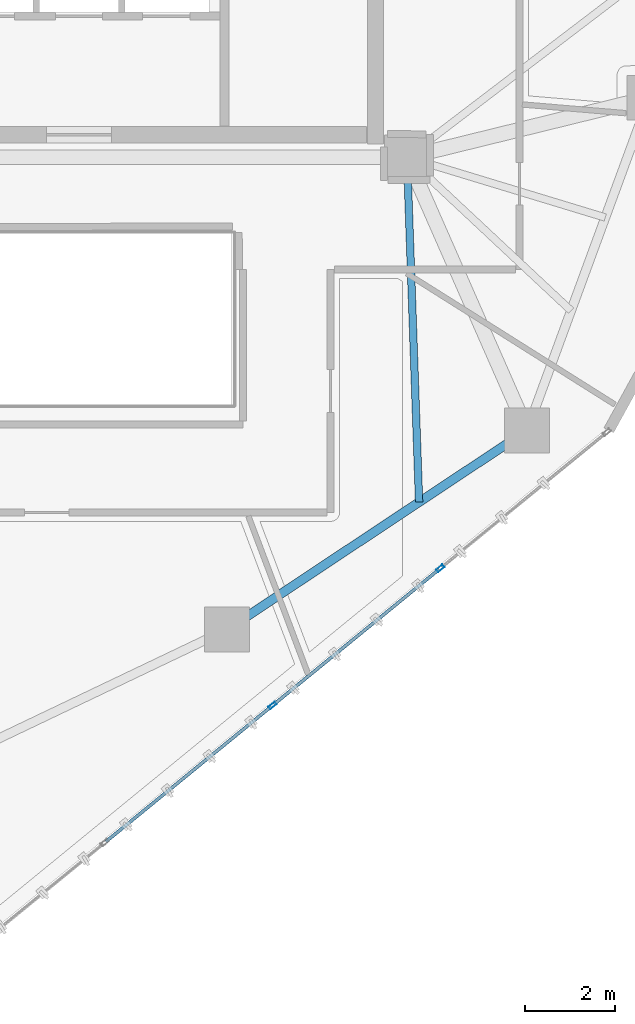
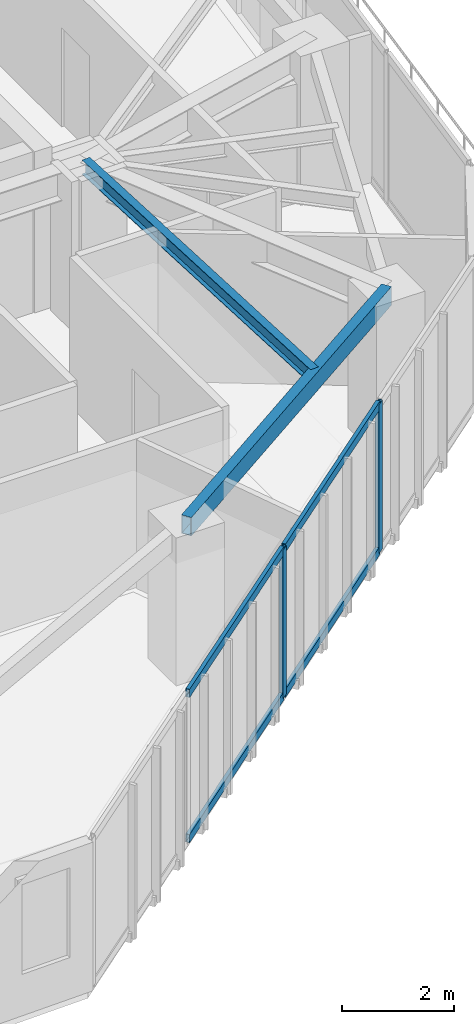
# One storey, part 6 of 22: 6 members, 2 beams, 1 element without a shape of its own.
"""IFC4 building model written with IfcOpenShell, lengths in metres."""

import ifcopenshell
import ifcopenshell.guid

model = None  # the IFC model being written
_history = None  # IfcOwnerHistory: only IFC2X3 demands one
_inside = {}  # id of a spatial element -> (the spatial element, [elements in it])
_under = {}  # id of a project, library or spatial element -> (it, [spatial elements below it])
_declared = {}  # id of a project -> (the project, [libraries it declares])
_typed = {}  # id of a type object -> (the type object, [elements of that type])
_made_of = {}  # id of a material, layer set ... -> (it, [elements and type objects made of it])


def new_model(schema):
    """Start an empty IFC model of exactly this schema.

    Asked for "IFC4X3", IfcOpenShell would pick the latest addendum, in which some entities
    have other attributes; the version numbers below select the first issue.
    IFC2X3 requires an IfcOwnerHistory on every rooted entity: one is made here for all.
    """
    global model, _history
    if schema == "IFC4X3":
        model = ifcopenshell.file(schema_version=(4, 3, 0, 0))
    else:
        model = ifcopenshell.file(schema=schema)
    _inside.clear()
    _under.clear()
    _declared.clear()
    _typed.clear()
    _made_of.clear()
    _history = None
    if model.schema == "IFC2X3":
        org = make("IfcOrganization", Name="unknown")
        user = make(
            "IfcPersonAndOrganization",
            ThePerson=make("IfcPerson", FamilyName="unknown"),
            TheOrganization=org,
        )
        app = make(
            "IfcApplication",
            ApplicationDeveloper=org,
            Version="unknown",
            ApplicationFullName="unknown",
            ApplicationIdentifier="unknown",
        )
        _history = make(
            "IfcOwnerHistory",
            OwningUser=user,
            OwningApplication=app,
            ChangeAction="ADDED",
            CreationDate=0,
        )
    return model


def make(cls, **values):
    """One entity of the class cls with the attributes given. An attribute that is None is left unset."""
    return model.create_entity(
        cls, **{name: value for name, value in values.items() if value is not None}
    )


def rooted(cls, **values):
    """An entity with a GlobalId (a new one), such as an element, a storey or a relation."""
    return make(cls, GlobalId=ifcopenshell.guid.new(), OwnerHistory=_history, **values)


def si_unit(unit_type, name, prefix=None):
    """IfcSIUnit, for example si_unit("LENGTHUNIT", "METRE", prefix="MILLI")."""
    return make("IfcSIUnit", UnitType=unit_type, Prefix=prefix, Name=name)


def assignment(units):
    """IfcUnitAssignment: the units of a project."""
    return None if units is None else make("IfcUnitAssignment", Units=units)


def point(xyz):
    """IfcCartesianPoint."""
    return None if xyz is None else make("IfcCartesianPoint", Coordinates=xyz)


def direction(xyz):
    """IfcDirection."""
    return None if xyz is None else make("IfcDirection", DirectionRatios=xyz)


def frame(location, z_axis=None, x_axis=None):
    """IfcAxis2Placement3D, a coordinate frame: its origin and axes. An axis left out is left unset."""
    return make(
        "IfcAxis2Placement3D",
        Location=point(location),
        Axis=direction(z_axis),
        RefDirection=direction(x_axis),
    )


def frame_2d(location, x_axis=None):
    """IfcAxis2Placement2D, a coordinate frame in the plane: its origin and x axis."""
    return make(
        "IfcAxis2Placement2D", Location=point(location), RefDirection=direction(x_axis)
    )


def origin():
    """The frame at (0, 0, 0) with its axes left unset."""
    return frame((0.0, 0.0, 0.0))


def origin_2d():
    """The frame at (0, 0) in the plane with its x axis left unset."""
    return frame_2d((0.0, 0.0))


def place(relative_to, where):
    """IfcLocalPlacement: puts the frame where relative to a parent placement (None: the world)."""
    return make(
        "IfcLocalPlacement", PlacementRelTo=relative_to, RelativePlacement=where
    )


def context(
    kind, dimensions, precision=None, world=None, true_north=None, identifier=None
):
    """IfcGeometricRepresentationContext, for example the 3D "Model" context."""
    return make(
        "IfcGeometricRepresentationContext",
        ContextIdentifier=identifier,
        ContextType=kind,
        CoordinateSpaceDimension=dimensions,
        Precision=precision,
        WorldCoordinateSystem=world,
        TrueNorth=true_north,
    )


def subcontext(parent, identifier, kind, view, scale=None):
    """IfcGeometricRepresentationSubContext, for example "Body" below "Model"."""
    return make(
        "IfcGeometricRepresentationSubContext",
        ContextIdentifier=identifier,
        ContextType=kind,
        ParentContext=parent,
        TargetScale=scale,
        TargetView=view,
    )


def project(units=None, contexts=None):
    """IfcProject with its units and contexts."""
    return rooted(
        "IfcProject",
        Name="project",
        RepresentationContexts=contexts,
        UnitsInContext=assignment(units),
    )


def spatial(cls, under=None, at=None, **own):
    """A site, building, storey or space (cls), placed at a placement, below another one or the project."""
    s = rooted(cls, ObjectPlacement=at, **own)
    if under is not None:
        _under.setdefault(under.id(), (under, []))[1].append(s)
    return s


def profile(cls, at=None, kind="AREA", **sizes):
    """A parametric profile (cls). Its sizes go by their IFC names, for example OverallWidth=200.0."""
    return make(cls, ProfileType=kind, Position=at, **sizes)


def hollow_rectangle(**sizes):
    """IfcRectangleHollowProfileDef."""
    return profile("IfcRectangleHollowProfileDef", **sizes)


def i_section(**sizes):
    """IfcIShapeProfileDef."""
    return profile("IfcIShapeProfileDef", **sizes)


def extrude(swept, where, along, depth):
    """IfcExtrudedAreaSolid: the profile swept, set in the frame where, extruded along a direction by depth."""
    return make(
        "IfcExtrudedAreaSolid",
        SweptArea=swept,
        Position=where,
        ExtrudedDirection=direction(along),
        Depth=depth,
    )


def shape(context_of_items, identifier, shape_type, items):
    """IfcShapeRepresentation: the items that make up one representation, for example the "Body"."""
    return make(
        "IfcShapeRepresentation",
        ContextOfItems=context_of_items,
        RepresentationIdentifier=identifier,
        RepresentationType=shape_type,
        Items=items,
    )


def source(mapping_origin, context_of_items, identifier, shape_type, items):
    """IfcRepresentationMap: a shape defined once, which mapped items show again and again."""
    return make(
        "IfcRepresentationMap",
        MappingOrigin=mapping_origin,
        MappedRepresentation=shape(context_of_items, identifier, shape_type, items),
    )


def transform(
    local_origin,
    x_axis=None,
    y_axis=None,
    z_axis=None,
    scale=None,
    scale2=None,
    scale3=None,
    uniform=True,
):
    """IfcCartesianTransformationOperator3D, or its non-uniform kind. x_axis, y_axis, z_axis: its Axis1, 2, 3."""
    if uniform:
        return make(
            "IfcCartesianTransformationOperator3D",
            Axis1=direction(x_axis),
            Axis2=direction(y_axis),
            LocalOrigin=point(local_origin),
            Scale=scale,
            Axis3=direction(z_axis),
        )
    return make(
        "IfcCartesianTransformationOperator3DnonUniform",
        Axis1=direction(x_axis),
        Axis2=direction(y_axis),
        LocalOrigin=point(local_origin),
        Scale=scale,
        Axis3=direction(z_axis),
        Scale2=scale2,
        Scale3=scale3,
    )


def mapped(mapping_source, mapping_target):
    """IfcMappedItem: shows the shape of a source again, moved by a transform."""
    return make(
        "IfcMappedItem", MappingSource=mapping_source, MappingTarget=mapping_target
    )


def material(Name=None, Category=None):
    """IfcMaterial."""
    return make("IfcMaterial", Name=Name, Category=Category)


def layer(
    of_material, thickness, ventilated=None, Name=None, Category=None, Priority=None
):
    """IfcMaterialLayer: one layer of a wall or slab, of a material (None: an air gap)."""
    return make(
        "IfcMaterialLayer",
        Material=of_material,
        LayerThickness=thickness,
        IsVentilated=ventilated,
        Name=Name,
        Category=Category,
        Priority=Priority,
    )


def layer_set(layers, Name=None):
    """IfcMaterialLayerSet."""
    return make("IfcMaterialLayerSet", MaterialLayers=layers, LayerSetName=Name)


def material_profile(
    of_material, cross_section, Name=None, Category=None, Priority=None
):
    """IfcMaterialProfile: a cross section and its material."""
    return make(
        "IfcMaterialProfile",
        Name=Name,
        Material=of_material,
        Profile=cross_section,
        Priority=Priority,
        Category=Category,
    )


def profile_set(profiles, Name=None, composite=None):
    """IfcMaterialProfileSet."""
    return make(
        "IfcMaterialProfileSet",
        Name=Name,
        MaterialProfiles=profiles,
        CompositeProfile=composite,
    )


def made_of(thing, what):
    """Note that an element or type object is made of a material, layer set ...; save() writes the relation."""
    if what is not None:
        _made_of.setdefault(what.id(), (what, []))[1].append(thing)
    return thing


def type_object(cls, material=None, **own):
    """A type object (cls), such as IfcWallType, which elements share."""
    return made_of(rooted(cls, **own), material)


def type_shapes(of_type, sources):
    """Give a type object the sources (RepresentationMaps) that its elements show as mapped items."""
    of_type.RepresentationMaps = sources


def element(
    cls,
    number,
    at=None,
    inside=None,
    cuts=None,
    type_object=None,
    material=None,
    context=None,
    identifier="Body",
    shape_type=None,
    held_by="IfcProductDefinitionShape",
    body=None,
    shapes=None,
    **own,
):
    """One element of the class cls, such as IfcWall. Its Tag is "e" and its number.

    at: its placement. inside: the storey or other place that contains it. cuts: it is an
    opening in that element (IfcRelVoidsElement). A single representation is given by context,
    identifier, shape_type and body (its items); several are given by shapes. held_by: the class
    of the entity that holds the representations. save() writes the other relations.
    """
    e = rooted(cls, Tag="e%d" % number, ObjectPlacement=at, **own)
    if body is not None:
        shapes = [shape(context, identifier, shape_type, body)]
    if shapes is not None:
        e.Representation = make(held_by, Representations=shapes)
    if inside is not None:
        _inside.setdefault(inside.id(), (inside, []))[1].append(e)
    if cuts is not None:
        rooted(
            "IfcRelVoidsElement", RelatingBuildingElement=cuts, RelatedOpeningElement=e
        )
    if type_object is not None:
        _typed.setdefault(type_object.id(), (type_object, []))[1].append(e)
    return made_of(e, material)


def aggregate(whole, parts):
    """IfcRelAggregates: a whole, such as a stair, and the parts it consists of."""
    return rooted("IfcRelAggregates", RelatingObject=whole, RelatedObjects=parts)


def save(model, path):
    """Write the relations noted so far, then the file.

    IfcRelAggregates (storeys below a building ...), IfcRelContainedInSpatialStructure (elements
    in a storey), IfcRelDefinesByType, IfcRelAssociatesMaterial and IfcRelDeclares: one each for
    every whole, place, type object, material and project.
    """
    for whole, parts in _under.values():
        aggregate(whole, parts)
    for where, things in _inside.values():
        rooted(
            "IfcRelContainedInSpatialStructure",
            RelatedElements=things,
            RelatingStructure=where,
        )
    for kind, things in _typed.values():
        rooted("IfcRelDefinesByType", RelatedObjects=things, RelatingType=kind)
    for what, things in _made_of.values():
        rooted("IfcRelAssociatesMaterial", RelatedObjects=things, RelatingMaterial=what)
    for by, libraries in _declared.values():
        rooted("IfcRelDeclares", RelatingContext=by, RelatedDefinitions=libraries)
    model.write(path)


model = new_model("IFC4")

# Units and contexts
model_context = context("Model", 3, precision=1e-05, world=origin(), true_north=direction((0.0, 1.0)))
body_context = subcontext(model_context, "Body", "Model", "MODEL_VIEW")
ifc_project = project(units=[si_unit("LENGTHUNIT", "METRE"), si_unit("AREAUNIT", "SQUARE_METRE"), si_unit("VOLUMEUNIT", "CUBIC_METRE"), si_unit("PLANEANGLEUNIT", "RADIAN"), si_unit("MASSUNIT", "GRAM", prefix="KILO")], contexts=[model_context])

# Site, building, storey
site_placement = place(None, origin())
site = spatial("IfcSite", under=ifc_project, at=site_placement, CompositionType="ELEMENT")
building_placement = place(site_placement, origin())
building = spatial("IfcBuilding", under=site, at=building_placement, Name="Talar Marvaseh", CompositionType="ELEMENT")
storey_placement = place(building_placement, frame((0.0, 0.0, 208.199951171875)))
storey = spatial("IfcBuildingStorey", under=building, at=storey_placement, Name="L54", CompositionType="ELEMENT", Elevation=208.199951171875)

# Beams
ifc_material_1 = material(Name="Steel S355", Category="steel")
ifc_material_profile_1 = material_profile(ifc_material_1, hollow_rectangle(XDim=0.199951171875, YDim=0.39990234375, WallThickness=0.013916015625, at=origin_2d()), Name="RHS400x200x14")
ifc_profile_set_1 = profile_set([ifc_material_profile_1], Name="Steel S355")
beam_type_1 = type_object("IfcBeamType", Name="Zone 3 Perimeter Spandrel Beam RHS400x200x14", PredefinedType="SPANDREL", material=ifc_profile_set_1)
beam_1_placement = place(storey_placement, frame((35.970947265625, 19.423095703125, 3.030029296875), z_axis=(-0.833127464163, -0.553081032452, 0.0), x_axis=(0.553081032452, -0.833127464163, 0.0)))
element("IfcBeam", 1, at=beam_1_placement, inside=storey, type_object=beam_type_1, Name="L54 Zone 3 Perimeter Spandrel Beam RHS400x200x14", PredefinedType="SPANDREL", context=body_context, shape_type="SweptSolid", body=[
    extrude(hollow_rectangle(XDim=0.199951171875, YDim=0.39990234375, WallThickness=0.013916015625, at=origin_2d()), origin(), (0.0, 0.0, 1.0), 8.00830078125),
])
ifc_material_profile_2 = material_profile(ifc_material_1, i_section(OverallWidth=0.166015625, OverallDepth=0.31298828125, WebThickness=0.006591796875, FlangeThickness=0.01123046875, at=origin_2d()), Name="W310x45")
ifc_profile_set_2 = profile_set([ifc_material_profile_2], Name="Steel S355")
beam_type_2 = type_object("IfcBeamType", Name="Zone 3 Secondary Floor Joist W310x45", PredefinedType="JOIST", material=ifc_profile_set_2)
beam_2_placement = place(storey_placement, frame((33.569091796875, 17.82861328125, 3.073486328125), z_axis=(-0.035049421089, 0.999385580285, 0.0), x_axis=(-0.999385580285, -0.035049421089, 0.0)))
element("IfcBeam", 2, at=beam_2_placement, inside=storey, type_object=beam_type_2, Name="L54 Zone 3 Secondary Floor Joist W310x45", PredefinedType="JOIST", context=body_context, shape_type="SweptSolid", body=[
    extrude(i_section(OverallWidth=0.166015625, OverallDepth=0.31298828125, WebThickness=0.006591796875, FlangeThickness=0.01123046875, at=origin_2d()), origin(), (0.0, 0.0, 1.0), 7.676025390625),
])

# Curtain wall, members
ifc_material_2 = material(Name="Architectural Aluminium", Category="aluminium")
ifc_layer = layer(ifc_material_2, 0.18994140625)
ifc_layer_set = layer_set([ifc_layer], Name="Architectural Aluminium")
curtain_wall_type = type_object("IfcCurtainWallType", Name="Unitised Solar Atelier Curtain Wall Z3", PredefinedType="NOTDEFINED", material=ifc_layer_set)
curtain_wall_placement = place(storey_placement, origin())
curtain_wall = element("IfcCurtainWall", 3, at=curtain_wall_placement, inside=storey, type_object=curtain_wall_type, Name="L54 Unitised Solar Atelier Curtain Wall Z3", PredefinedType="NOTDEFINED")
ifc_material_profile_3 = material_profile(ifc_material_2, hollow_rectangle(XDim=0.074951171875, YDim=0.179931640625, WallThickness=0.0048828125, at=origin_2d()), Name="RHS180x75x5")
ifc_profile_set_3 = profile_set([ifc_material_profile_3], Name="Architectural Aluminium")
member_type_1 = type_object("IfcMemberType", Name="Unitised Curtain Wall Standard Mullion RHS180x75x5", PredefinedType="MULLION", material=ifc_profile_set_3)
shared_shape_1 = source(origin(), body_context, "Body", "SweptSolid", [
    extrude(hollow_rectangle(XDim=0.074951171875, YDim=0.179931640625, WallThickness=0.0048828125, at=origin_2d()), origin(), (0.0, 0.0, 1.0), 3.22998046875),
])
type_shapes(member_type_1, [shared_shape_1])
member_1_placement = place(storey_placement, frame((34.0419921875, 16.35693359375, 0.0), z_axis=(0.0, 0.0, 1.0), x_axis=(0.632822116312, -0.774297209801, 0.0)))
member_1 = element("IfcMember", 4, at=member_1_placement, type_object=member_type_1, Name="CW-Z3 mullion 2", PredefinedType="MULLION", context=body_context, shape_type="MappedRepresentation", body=[
    mapped(shared_shape_1, transform((0.0, 0.0, 0.0), x_axis=(1.0, 0.0, 0.0), y_axis=(0.0, 1.0, 0.0), z_axis=(0.0, 0.0, 1.0), scale=1.0)),
])
member_2_placement = place(storey_placement, frame((30.308349609375, 13.305419921875, 0.0), z_axis=(0.0, 0.0, 1.0), x_axis=(0.632822116312, -0.774297209801, 0.0)))
member_2 = element("IfcMember", 5, at=member_2_placement, type_object=member_type_1, Name="CW-Z3 mullion 3", PredefinedType="MULLION", context=body_context, shape_type="MappedRepresentation", body=[
    mapped(shared_shape_1, transform((0.0, 0.0, 0.0), x_axis=(1.0, 0.0, 0.0), y_axis=(0.0, 1.0, 0.0), z_axis=(0.0, 0.0, 1.0), scale=1.0)),
])
ifc_material_profile_4 = material_profile(ifc_material_2, hollow_rectangle(XDim=0.074951171875, YDim=0.179931640625, WallThickness=0.0048828125, at=origin_2d()), Name="RHS180x75x5")
ifc_profile_set_4 = profile_set([ifc_material_profile_4], Name="Architectural Aluminium")
member_type_2 = type_object("IfcMemberType", Name="Unitised Curtain Wall Transom RHS180x75x5", PredefinedType="USERDEFINED", material=ifc_profile_set_4)
shared_shape_2 = source(origin(), body_context, "Body", "SweptSolid", [
    extrude(hollow_rectangle(XDim=0.074951171875, YDim=0.179931640625, WallThickness=0.0048828125, at=origin_2d()), origin(), (0.0, 0.0, 1.0), 4.7470703125),
])
member_3_placement = place(storey_placement, frame((30.279296875, 13.28173828125, 0.03759765625), z_axis=(-0.774278000607, -0.632845619228, 0.0), x_axis=(0.632845619228, -0.774278000607, 0.0)))
member_3 = element("IfcMember", 6, at=member_3_placement, type_object=member_type_2, Name="CW-Z3 transom 3.1", ObjectType="TRANSOM", PredefinedType="USERDEFINED", context=body_context, shape_type="MappedRepresentation", body=[
    mapped(shared_shape_2, transform((0.0, 0.0, 0.0), x_axis=(1.0, 0.0, 0.0), y_axis=(0.0, 1.0, 0.0), z_axis=(0.0, 0.0, 1.0), scale=1.0)),
])
member_4_placement = place(storey_placement, frame((30.279296875, 13.28173828125, 3.192626953125), z_axis=(-0.774278000607, -0.632845619228, 0.0), x_axis=(0.632845619228, -0.774278000607, 0.0)))
member_4 = element("IfcMember", 7, at=member_4_placement, type_object=member_type_2, Name="CW-Z3 transom 3.2", ObjectType="TRANSOM", PredefinedType="USERDEFINED", context=body_context, shape_type="MappedRepresentation", body=[
    mapped(shared_shape_2, transform((0.0, 0.0, 0.0), x_axis=(1.0, 0.0, 0.0), y_axis=(0.0, 1.0, 0.0), z_axis=(0.0, 0.0, 1.0), scale=1.0)),
])
shared_shape_3 = source(origin(), body_context, "Body", "SweptSolid", [
    extrude(hollow_rectangle(XDim=0.074951171875, YDim=0.179931640625, WallThickness=0.0048828125, at=origin_2d()), origin(), (0.0, 0.0, 1.0), 4.747314453125),
])
type_shapes(member_type_2, [shared_shape_2, shared_shape_3])
member_5_placement = place(storey_placement, frame((34.01318359375, 16.333251953125, 0.03759765625), z_axis=(-0.774298596744, -0.632820419297, 0.0), x_axis=(0.632820419297, -0.774298596744, 0.0)))
member_5 = element("IfcMember", 8, at=member_5_placement, type_object=member_type_2, Name="CW-Z3 transom 2.1", ObjectType="TRANSOM", PredefinedType="USERDEFINED", context=body_context, shape_type="MappedRepresentation", body=[
    mapped(shared_shape_3, transform((0.0, 0.0, 0.0), x_axis=(1.0, 0.0, 0.0), y_axis=(0.0, 1.0, 0.0), z_axis=(0.0, 0.0, 1.0), scale=1.0)),
])
member_6_placement = place(storey_placement, frame((34.01318359375, 16.333251953125, 3.192626953125), z_axis=(-0.774298596744, -0.632820419297, 0.0), x_axis=(0.632820419297, -0.774298596744, 0.0)))
member_6 = element("IfcMember", 9, at=member_6_placement, type_object=member_type_2, Name="CW-Z3 transom 2.2", ObjectType="TRANSOM", PredefinedType="USERDEFINED", context=body_context, shape_type="MappedRepresentation", body=[
    mapped(shared_shape_3, transform((0.0, 0.0, 0.0), x_axis=(1.0, 0.0, 0.0), y_axis=(0.0, 1.0, 0.0), z_axis=(0.0, 0.0, 1.0), scale=1.0)),
])
aggregate(curtain_wall, [member_1, member_2, member_5, member_6, member_3, member_4])

save(model, "model.ifc")
